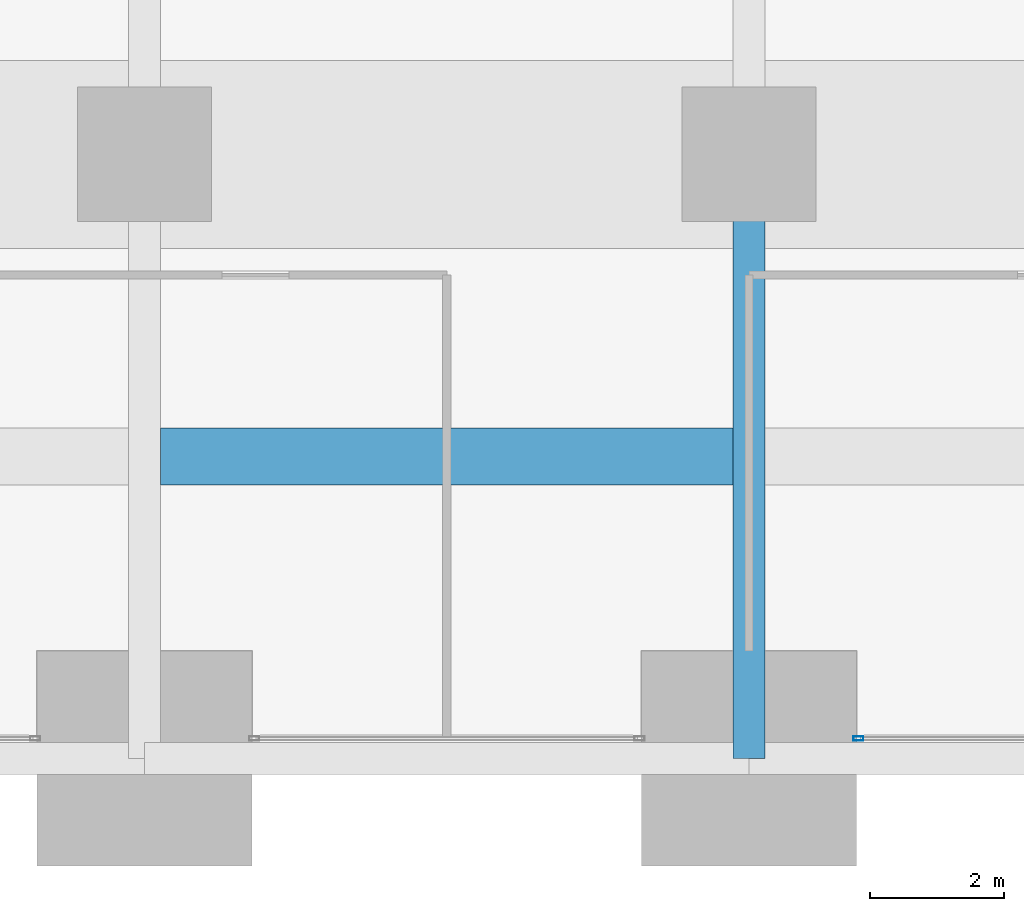
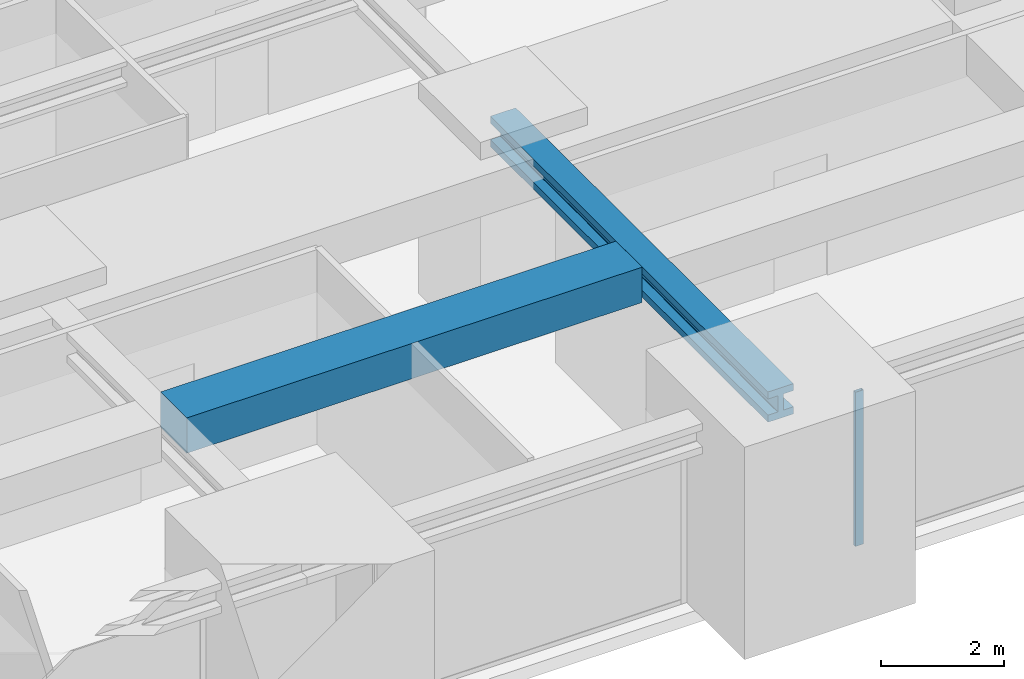
# One storey, part 15 of 45: 2 beams, 1 member, 1 element without a shape of its own.
"""IFC4 building model written with IfcOpenShell, lengths in metres."""

from ifc_helpers import new_model, si_unit, direction, frame, origin, origin_2d, place, context, subcontext, project, spatial, rectangle, hollow_rectangle, i_section, extrude, material, material_profile, profile_set, type_object, element, aggregate, save


model = new_model("IFC4")

# Units and contexts
model_context = context("Model", 3, precision=1e-05, world=origin(), true_north=direction((0.0, 1.0)))
body_context = subcontext(model_context, "Body", "Model", "MODEL_VIEW")
ifc_project = project(units=[si_unit("LENGTHUNIT", "METRE"), si_unit("AREAUNIT", "SQUARE_METRE"), si_unit("VOLUMEUNIT", "CUBIC_METRE"), si_unit("PLANEANGLEUNIT", "RADIAN"), si_unit("MASSUNIT", "GRAM", prefix="KILO")], contexts=[model_context])

# Site, building, storey
site_placement = place(None, origin())
site = spatial("IfcSite", under=ifc_project, at=site_placement, CompositionType="ELEMENT")
building_placement = place(site_placement, origin())
building = spatial("IfcBuilding", under=site, at=building_placement, Name="Zorevar Civic Tower", CompositionType="ELEMENT")
storey_placement = place(building_placement, frame((0.0, 0.0, 153.0)))
storey = spatial("IfcBuildingStorey", under=building, at=storey_placement, Name="L37", CompositionType="ELEMENT", Elevation=153.0)

# Beam
ifc_material_1 = material(Name="Concrete C50/60", Category="concrete")
ifc_material_profile_1 = material_profile(ifc_material_1, rectangle(XDim=0.85009765625, YDim=0.699951171875, at=origin_2d()), Name="RC 850x700")
ifc_profile_set_1 = profile_set([ifc_material_profile_1], Name="Concrete C50/60")
beam_type_1 = type_object("IfcBeamType", Name="Beam RC 850x700", PredefinedType="BEAM", material=ifc_profile_set_1)
beam_1_placement = place(storey_placement, frame((36.238037109375, 4.5, 3.5), z_axis=(1.0, 0.0, 0.0), x_axis=(0.0, 1.0, 0.0)))
element("IfcBeam", 1, at=beam_1_placement, inside=storey, type_object=beam_type_1, Name="Secondary beam L38", PredefinedType="BEAM", context=body_context, shape_type="SweptSolid", body=[
    extrude(rectangle(XDim=0.85009765625, YDim=0.699951171875, at=origin_2d()), origin(), (0.0, 0.0, 1.0), 8.52392578125),
])

# Curtain wall, member
ifc_material_2 = material(Name="Dark grey solar-control glass in black aluminium frame", Category="aluminium")
curtain_wall_type = type_object("IfcCurtainWallType", Name="Curtain wall CW3 mid zone", PredefinedType="NOTDEFINED", material=ifc_material_2)
curtain_wall_placement = place(storey_placement, origin())
curtain_wall = element("IfcCurtainWall", 2, at=curtain_wall_placement, inside=storey, type_object=curtain_wall_type, Name="CW3 L37", PredefinedType="NOTDEFINED")
ifc_material_3 = material(Name="Aluminium, black anodised", Category="aluminium")
ifc_material_profile_2 = material_profile(ifc_material_3, hollow_rectangle(XDim=0.06005859375, YDim=0.14990234375, WallThickness=0.00390625, at=origin_2d()), Name="AL 150x60x4")
ifc_profile_set_2 = profile_set([ifc_material_profile_2], Name="Aluminium, black anodised")
member_type = type_object("IfcMemberType", Name="CW3 mullion AL 150x60x4", PredefinedType="MULLION", material=ifc_profile_set_2)
member_placement = place(storey_placement, frame((46.6298828125, 0.300048828125, 0.0), z_axis=(0.0, 0.0, 1.0), x_axis=(0.0, 1.0, 0.0)))
member = element("IfcMember", 3, at=member_placement, type_object=member_type, Name="CW3 mullion 1", PredefinedType="MULLION", context=body_context, shape_type="SweptSolid", body=[
    extrude(hollow_rectangle(XDim=0.06005859375, YDim=0.14990234375, WallThickness=0.00390625, at=origin_2d()), origin(), (0.0, 0.0, 1.0), 3.050048828125),
])
aggregate(curtain_wall, [member])

# Beam
ifc_material_4 = material(Name="Steel S460M (HISTAR 460)", Category="steel")
ifc_material_profile_3 = material_profile(ifc_material_4, i_section(OverallWidth=0.47607421875, OverallDepth=0.60009765625, WebThickness=0.10009765625, FlangeThickness=0.139892578125, FilletRadius=0.014892578125, at=origin_2d()), Name="HD 400x1299")
ifc_profile_set_3 = profile_set([ifc_material_profile_3], Name="Steel S460M (HISTAR 460)")
beam_type_2 = type_object("IfcBeamType", Name="Outrigger chord HD 400x1299", PredefinedType="BEAM", material=ifc_profile_set_3)
beam_2_placement = place(storey_placement, frame((45.0, 0.0, 3.550048828125), z_axis=(0.0, 1.0, 0.0), x_axis=(-1.0, 0.0, 0.0)))
element("IfcBeam", 4, at=beam_2_placement, inside=storey, type_object=beam_type_2, Name="Outrigger chord L38", PredefinedType="BEAM", context=body_context, shape_type="SweptSolid", body=[
    extrude(i_section(OverallWidth=0.47607421875, OverallDepth=0.60009765625, WebThickness=0.10009765625, FlangeThickness=0.139892578125, FilletRadius=0.014892578125, at=origin_2d()), origin(), (0.0, 0.0, 1.0), 9.0),
])

save(model, "model.ifc")
